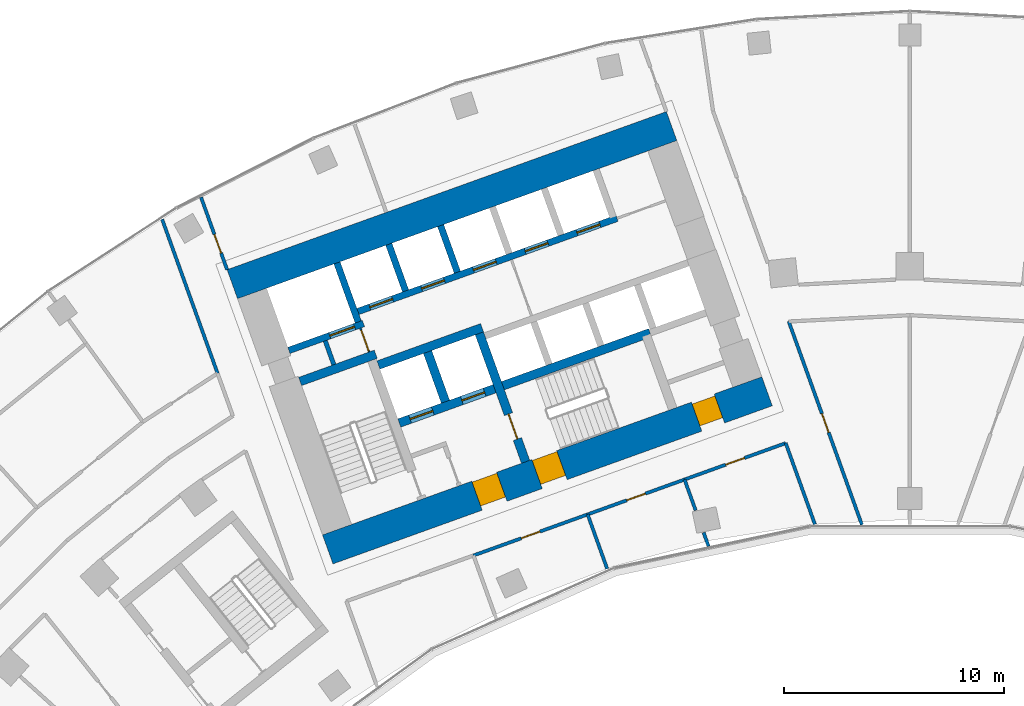
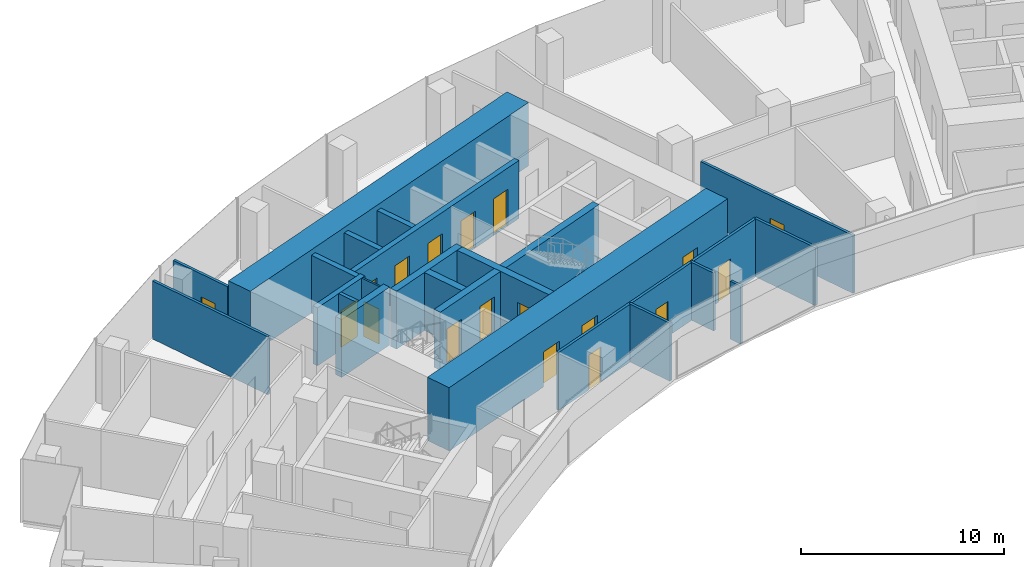
# One storey, part 14 of 20: 24 walls, 18 doors, 18 openings.
"""IFC4 building model written with IfcOpenShell, lengths in metres."""

from ifc_helpers import new_model, si_unit, direction, frame, frame_2d, origin, place, context, subcontext, project, spatial, rectangle, extrude, material, layer, layer_set, type_object, element, fill, save


model = new_model("IFC4")

# Units and contexts
model_context = context("Model", 3, precision=1e-05, world=origin(), true_north=direction((0.0, 1.0)))
body_context = subcontext(model_context, "Body", "Model", "MODEL_VIEW")
ifc_project = project(units=[si_unit("LENGTHUNIT", "METRE"), si_unit("AREAUNIT", "SQUARE_METRE"), si_unit("VOLUMEUNIT", "CUBIC_METRE"), si_unit("PLANEANGLEUNIT", "RADIAN"), si_unit("MASSUNIT", "GRAM", prefix="KILO")], contexts=[model_context])

# Site, building, storey
site_placement = place(None, origin())
site = spatial("IfcSite", under=ifc_project, at=site_placement, CompositionType="ELEMENT")
building_placement = place(site_placement, origin())
building = spatial("IfcBuilding", under=site, at=building_placement, Name="Stone Belt Terrace Tower", CompositionType="ELEMENT")
storey_placement = place(building_placement, frame((0.0, 0.0, 147.800048828125)))
storey = spatial("IfcBuildingStorey", under=building, at=storey_placement, Name="L35", CompositionType="ELEMENT", Elevation=147.800048828125)

# Wall, opening, door
ifc_material_1 = material(Name="Plasterboard partition")
ifc_layer_1 = layer(ifc_material_1, 0.10009765625)
ifc_layer_set_1 = layer_set([ifc_layer_1], Name="Core partition 100")
wall_type_1 = type_object("IfcWallType", Name="Core partition 100", PredefinedType="PARTITIONING", material=ifc_layer_set_1)
wall_1_placement = place(storey_placement, frame((-24.555908203125, 51.10400390625, 0.0), z_axis=(0.0, 0.0, 1.0), x_axis=(-0.338621735342, 0.94092258999, 0.0)))
wall_1 = element("IfcWall", 1, at=wall_1_placement, inside=storey, type_object=wall_type_1, Name="Core A wall", PredefinedType="PARTITIONING", context=body_context, shape_type="SweptSolid", body=[
    extrude(rectangle(XDim=1.14990234375, YDim=0.10009765625, at=frame_2d((0.574951171875, 0.0))), origin(), (0.0, 0.0, 1.0), 3.47998046875),
])
opening_1_placement = place(wall_1_placement, frame((0.050048828125, 0.0, 0.0)))
opening_1 = element("IfcOpeningElement", 2, at=opening_1_placement, cuts=wall_1, Name="Opening L35-C03", PredefinedType="OPENING", context=body_context, shape_type="SweptSolid", body=[
    extrude(rectangle(XDim=1.0, YDim=2.10009765625, at=frame_2d((0.5, 1.050048828125))), frame((0.0, 0.06005859375, 0.0), z_axis=(0.0, -1.0, 0.0), x_axis=(1.0, 0.0, 0.0)), (0.0, 0.0, 1.0), 0.1201171875),
])
ifc_material_2 = material(Name="Timber door leaf", Category="wood")
door_type_1 = type_object("IfcDoorType", Name="Core room door 1000", OperationType="SINGLE_SWING_LEFT", PredefinedType="DOOR", material=ifc_material_2)
door_1_placement = place(opening_1_placement, origin())
door_1 = element("IfcDoor", 3, at=door_1_placement, inside=storey, type_object=door_type_1, Name="Service lift lobby door core A", OperationType="SINGLE_SWING_LEFT", OverallHeight=2.10009765625, OverallWidth=1.0, PredefinedType="DOOR", context=body_context, shape_type="SweptSolid", body=[
    extrude(rectangle(XDim=1.0, YDim=2.10009765625, at=frame_2d((0.5, 1.050048828125))), frame((0.0, 0.02490234375, 0.0), z_axis=(0.0, -1.0, 0.0), x_axis=(1.0, 0.0, 0.0)), (0.0, 0.0, 1.0), 0.050048828125),
])
fill(opening_1, door_1)

# Wall, openings, doors
ifc_material_3 = material(Name="Concrete B80", Category="concrete")
ifc_layer_2 = layer(ifc_material_3, 1.39990234375)
ifc_layer_set_2 = layer_set([ifc_layer_2], Name="Core wall 1400 B80")
wall_type_2 = type_object("IfcWallType", Name="Core wall 1400 B80", PredefinedType="SHEAR", material=ifc_layer_set_2)
wall_2_placement = place(storey_placement, frame((-26.430908203125, 42.139404296875, 0.0), z_axis=(0.0, 0.0, 1.0), x_axis=(0.940923374003, 0.33861955681, 0.0)))
wall_2 = element("IfcWall", 4, at=wall_2_placement, inside=storey, type_object=wall_type_2, Name="Core A wall concave L35", PredefinedType="SHEAR", context=body_context, shape_type="SweptSolid", body=[
    extrude(rectangle(XDim=21.199951171875, YDim=1.39990234375, at=frame_2d((10.60009765625, 0.0))), origin(), (0.0, 0.0, 1.0), 3.800048828125),
])
opening_2_placement = place(wall_2_placement, frame((7.199951171875, 0.0, 0.0)))
opening_2 = element("IfcOpeningElement", 5, at=opening_2_placement, cuts=wall_2, Name="Opening L35-C08", PredefinedType="OPENING", context=body_context, shape_type="SweptSolid", body=[
    extrude(rectangle(XDim=1.199951171875, YDim=2.10009765625, at=frame_2d((0.60009765625, 1.050048828125))), frame((0.0, 0.7099609375, 0.0), z_axis=(0.0, -1.0, 0.0), x_axis=(1.0, 0.0, 0.0)), (0.0, 0.0, 1.0), 1.419921875),
])
opening_3_placement = place(wall_2_placement, frame((10.099853515625, 0.0, 0.0)))
opening_3 = element("IfcOpeningElement", 6, at=opening_3_placement, cuts=wall_2, Name="Opening L35-C10", PredefinedType="OPENING", context=body_context, shape_type="SweptSolid", body=[
    extrude(rectangle(XDim=1.199951171875, YDim=2.10009765625, at=frame_2d((0.60009765625, 1.050048828125))), frame((0.0, 0.7099609375, 0.0), z_axis=(0.0, -1.0, 0.0), x_axis=(1.0, 0.0, 0.0)), (0.0, 0.0, 1.0), 1.419921875),
])
opening_4_placement = place(wall_2_placement, frame((17.800048828125, 0.0, 0.0)))
opening_4 = element("IfcOpeningElement", 7, at=opening_4_placement, cuts=wall_2, Name="Opening L35-C12", PredefinedType="OPENING", context=body_context, shape_type="SweptSolid", body=[
    extrude(rectangle(XDim=1.10009765625, YDim=2.10009765625, at=frame_2d((0.550048828125, 1.050048828125))), frame((0.0, 0.7099609375, 0.0), z_axis=(0.0, -1.0, 0.0), x_axis=(1.0, 0.0, 0.0)), (0.0, 0.0, 1.0), 1.419921875),
])
door_type_2 = type_object("IfcDoorType", Name="Core room door 1100", OperationType="SINGLE_SWING_LEFT", PredefinedType="DOOR", material=ifc_material_2)
door_2_placement = place(opening_4_placement, origin())
door_2 = element("IfcDoor", 8, at=door_2_placement, inside=storey, type_object=door_type_2, Name="Door to Pipe riser core A", OperationType="SINGLE_SWING_LEFT", OverallHeight=2.10009765625, OverallWidth=1.10009765625, PredefinedType="DOOR", context=body_context, shape_type="SweptSolid", body=[
    extrude(rectangle(XDim=1.10009765625, YDim=2.10009765625, at=frame_2d((0.550048828125, 1.050048828125))), frame((0.0, 0.60498046875, 0.0), z_axis=(0.0, -1.0, 0.0), x_axis=(1.0, 0.0, 0.0)), (0.0, 0.0, 1.0), 1.050048828125),
])
fill(opening_4, door_2)
ifc_material_4 = material(Name="Steel door leaf", Category="steel")
door_type_3 = type_object("IfcDoorType", Name="Fire-fighting lobby door 1200", OperationType="SINGLE_SWING_LEFT", PredefinedType="DOOR", material=ifc_material_4)
door_3_placement = place(opening_2_placement, origin())
door_3 = element("IfcDoor", 9, at=door_3_placement, inside=storey, type_object=door_type_3, Name="Fire-fighting lobby door core A", OperationType="SINGLE_SWING_LEFT", OverallHeight=2.10009765625, OverallWidth=1.199951171875, PredefinedType="DOOR", context=body_context, shape_type="SweptSolid", body=[
    extrude(rectangle(XDim=1.199951171875, YDim=2.10009765625, at=frame_2d((0.60009765625, 1.050048828125))), frame((0.0, 0.655029296875, 0.0), z_axis=(0.0, -1.0, 0.0), x_axis=(1.0, 0.0, 0.0)), (0.0, 0.0, 1.0), 1.14990234375),
])
fill(opening_2, door_3)
door_type_4 = type_object("IfcDoorType", Name="Stair door 1200", OperationType="SINGLE_SWING_LEFT", PredefinedType="DOOR", material=ifc_material_4)
door_4_placement = place(opening_3_placement, origin())
door_4 = element("IfcDoor", 10, at=door_4_placement, inside=storey, type_object=door_type_4, Name="Stair 2 exit door core A", OperationType="SINGLE_SWING_RIGHT", OverallHeight=2.10009765625, OverallWidth=1.199951171875, PredefinedType="DOOR", context=body_context, shape_type="SweptSolid", body=[
    extrude(rectangle(XDim=1.199951171875, YDim=2.10009765625, at=frame_2d((0.60009765625, 1.050048828125))), frame((0.0, 0.655029296875, 0.0), z_axis=(0.0, -1.0, 0.0), x_axis=(1.0, 0.0, 0.0)), (0.0, 0.0, 1.0), 1.14990234375),
])
fill(opening_3, door_4)

# Walls
wall_3_placement = place(storey_placement, frame((-30.765380859375, 54.18310546875, 0.0), z_axis=(0.0, 0.0, 1.0), x_axis=(0.940919704758, 0.338629752382, 0.0)))
element("IfcWall", 11, at=wall_3_placement, inside=storey, type_object=wall_type_2, Name="Core A wall convex L35", PredefinedType="SHEAR", context=body_context, shape_type="SweptSolid", body=[
    extrude(rectangle(XDim=21.199951171875, YDim=1.39990234375, at=frame_2d((10.60009765625, 0.0))), origin(), (0.0, 0.0, 1.0), 3.800048828125),
])
ifc_layer_3 = layer(ifc_material_3, 0.39990234375)
ifc_layer_set_3 = layer_set([ifc_layer_3], Name="Fire-fighting lift shaft wall 400")
wall_type_3 = type_object("IfcWallType", Name="Fire-fighting lift shaft wall 400", PredefinedType="SHEAR", material=ifc_layer_set_3)
wall_4_placement = place(storey_placement, frame((-24.130615234375, 50.512939453125, 0.0), z_axis=(0.0, 0.0, 1.0), x_axis=(0.94091168377, 0.338652038744, 0.0)))
element("IfcWall", 12, at=wall_4_placement, inside=storey, type_object=wall_type_3, Name="Core A wall", PredefinedType="SHEAR", context=body_context, shape_type="SweptSolid", body=[
    extrude(rectangle(XDim=5.000244140625, YDim=0.39990234375, at=frame_2d((2.5, 0.0))), origin(), (0.0, 0.0, 1.0), 3.47998046875),
])
wall_5_placement = place(storey_placement, frame((-21.0859375, 48.845458984375, 0.0), z_axis=(0.0, 0.0, 1.0), x_axis=(-0.338629416206, 0.940919825745, 0.0)))
element("IfcWall", 13, at=wall_5_placement, inside=storey, type_object=wall_type_3, Name="Core A wall", PredefinedType="SHEAR", context=body_context, shape_type="SweptSolid", body=[
    extrude(rectangle(XDim=2.400146484375, YDim=0.39990234375, at=frame_2d((1.2001953125, 0.0))), origin(), (0.0, 0.0, 1.0), 3.47998046875),
])

# Wall, opening, door
ifc_layer_4 = layer(ifc_material_3, 0.300048828125)
ifc_layer_set_4 = layer_set([ifc_layer_4], Name="Lift shaft wall 300")
wall_type_4 = type_object("IfcWallType", Name="Lift shaft wall 300", PredefinedType="SHEAR", material=ifc_layer_set_4)
wall_6_placement = place(storey_placement, frame((-28.195068359375, 51.17578125, 0.0), z_axis=(0.0, 0.0, 1.0), x_axis=(0.940901243567, 0.338681044427, 0.0)))
wall_6 = element("IfcWall", 14, at=wall_6_placement, inside=storey, type_object=wall_type_4, Name="Core A wall", PredefinedType="SHEAR", context=body_context, shape_type="SweptSolid", body=[
    extrude(rectangle(XDim=3.599853515625, YDim=0.300048828125, at=frame_2d((1.7998046875, 0.0))), origin(), (0.0, 0.0, 1.0), 3.47998046875),
])
opening_5_placement = place(wall_6_placement, frame((1.969970703125, 0.0, 0.0)))
opening_5 = element("IfcOpeningElement", 15, at=opening_5_placement, cuts=wall_6, Name="Opening L35-LD08", PredefinedType="OPENING", context=body_context, shape_type="SweptSolid", body=[
    extrude(rectangle(XDim=1.199951171875, YDim=2.199951171875, at=frame_2d((0.60009765625, 1.10009765625))), frame((0.0, 0.159912109375, 0.0), z_axis=(0.0, -1.0, 0.0), x_axis=(1.0, 0.0, 0.0)), (0.0, 0.0, 1.0), 0.320068359375),
])
ifc_material_5 = material(Name="Stainless steel door leaf", Category="steel")
door_type_5 = type_object("IfcDoorType", Name="Landing door 1200", OperationType="SLIDING_TO_LEFT", PredefinedType="DOOR", material=ifc_material_5)
door_5_placement = place(opening_5_placement, origin())
door_5 = element("IfcDoor", 16, at=door_5_placement, inside=storey, type_object=door_type_5, Name="Landing door SV1 core A", OperationType="SLIDING_TO_LEFT", OverallHeight=2.199951171875, OverallWidth=1.199951171875, PredefinedType="DOOR", context=body_context, shape_type="SweptSolid", body=[
    extrude(rectangle(XDim=1.199951171875, YDim=2.199951171875, at=frame_2d((0.60009765625, 1.10009765625))), frame((0.0, 0.02490234375, 0.0), z_axis=(0.0, -1.0, 0.0), x_axis=(1.0, 0.0, 0.0)), (0.0, 0.0, 1.0), 0.050048828125),
])
fill(opening_5, door_5)

# Wall
wall_7_placement = place(storey_placement, frame((-25.046875, 52.46826171875, 0.0), z_axis=(0.0, 0.0, 1.0), x_axis=(-0.338549588058, 0.940948551423, 0.0)))
element("IfcWall", 17, at=wall_7_placement, inside=storey, type_object=wall_type_4, Name="Core A wall", PredefinedType="SHEAR", context=body_context, shape_type="SweptSolid", body=[
    extrude(rectangle(XDim=2.849853515625, YDim=0.300048828125, at=frame_2d((1.4248046875, 0.0))), origin(), (0.0, 0.0, 1.0), 3.47998046875),
])

# Wall, openings, doors
wall_8_placement = place(storey_placement, frame((-25.05810546875, 52.9423828125, 0.0), z_axis=(0.0, 0.0, 1.0), x_axis=(0.940920770291, 0.338626791666, 0.0)))
wall_8 = element("IfcWall", 18, at=wall_8_placement, inside=storey, type_object=wall_type_4, Name="Core A wall", PredefinedType="SHEAR", context=body_context, shape_type="SweptSolid", body=[
    extrude(rectangle(XDim=12.500244140625, YDim=0.300048828125, at=frame_2d((6.25, 0.0))), origin(), (0.0, 0.0, 1.0), 3.47998046875),
])
opening_6_placement = place(wall_8_placement, frame((0.570068359375, 0.0, 0.0)))
opening_6 = element("IfcOpeningElement", 19, at=opening_6_placement, cuts=wall_8, Name="Opening L35-LD01", PredefinedType="OPENING", context=body_context, shape_type="SweptSolid", body=[
    extrude(rectangle(XDim=1.10009765625, YDim=2.199951171875, at=frame_2d((0.550048828125, 1.10009765625))), frame((0.0, 0.159912109375, 0.0), z_axis=(0.0, -1.0, 0.0), x_axis=(1.0, 0.0, 0.0)), (0.0, 0.0, 1.0), 0.320068359375),
])
opening_7_placement = place(wall_8_placement, frame((3.070068359375, 0.0, 0.0)))
opening_7 = element("IfcOpeningElement", 20, at=opening_7_placement, cuts=wall_8, Name="Opening L35-LD02", PredefinedType="OPENING", context=body_context, shape_type="SweptSolid", body=[
    extrude(rectangle(XDim=1.10009765625, YDim=2.199951171875, at=frame_2d((0.550048828125, 1.10009765625))), frame((0.0, 0.159912109375, 0.0), z_axis=(0.0, -1.0, 0.0), x_axis=(1.0, 0.0, 0.0)), (0.0, 0.0, 1.0), 0.320068359375),
])
opening_8_placement = place(wall_8_placement, frame((5.570068359375, 0.0, 0.0)))
opening_8 = element("IfcOpeningElement", 21, at=opening_8_placement, cuts=wall_8, Name="Opening L35-LD03", PredefinedType="OPENING", context=body_context, shape_type="SweptSolid", body=[
    extrude(rectangle(XDim=1.10009765625, YDim=2.199951171875, at=frame_2d((0.550048828125, 1.10009765625))), frame((0.0, 0.159912109375, 0.0), z_axis=(0.0, -1.0, 0.0), x_axis=(1.0, 0.0, 0.0)), (0.0, 0.0, 1.0), 0.320068359375),
])
opening_9_placement = place(wall_8_placement, frame((8.070068359375, 0.0, 0.0)))
opening_9 = element("IfcOpeningElement", 22, at=opening_9_placement, cuts=wall_8, Name="Opening L35-LD04", PredefinedType="OPENING", context=body_context, shape_type="SweptSolid", body=[
    extrude(rectangle(XDim=1.10009765625, YDim=2.199951171875, at=frame_2d((0.550048828125, 1.10009765625))), frame((0.0, 0.159912109375, 0.0), z_axis=(0.0, -1.0, 0.0), x_axis=(1.0, 0.0, 0.0)), (0.0, 0.0, 1.0), 0.320068359375),
])
opening_10_placement = place(wall_8_placement, frame((10.570068359375, 0.0, 0.0)))
opening_10 = element("IfcOpeningElement", 23, at=opening_10_placement, cuts=wall_8, Name="Opening L35-LD05", PredefinedType="OPENING", context=body_context, shape_type="SweptSolid", body=[
    extrude(rectangle(XDim=1.10009765625, YDim=2.199951171875, at=frame_2d((0.550048828125, 1.10009765625))), frame((0.0, 0.159912109375, 0.0), z_axis=(0.0, -1.0, 0.0), x_axis=(1.0, 0.0, 0.0)), (0.0, 0.0, 1.0), 0.320068359375),
])
door_type_6 = type_object("IfcDoorType", Name="Landing door 1100", OperationType="SLIDING_TO_LEFT", PredefinedType="DOOR", material=ifc_material_5)
door_6_placement = place(opening_6_placement, origin())
door_6 = element("IfcDoor", 24, at=door_6_placement, inside=storey, type_object=door_type_6, Name="Landing door MR1 core A", OperationType="SLIDING_TO_LEFT", OverallHeight=2.199951171875, OverallWidth=1.10009765625, PredefinedType="DOOR", context=body_context, shape_type="SweptSolid", body=[
    extrude(rectangle(XDim=1.10009765625, YDim=2.199951171875, at=frame_2d((0.550048828125, 1.10009765625))), frame((0.0, 0.02490234375, 0.0), z_axis=(0.0, -1.0, 0.0), x_axis=(1.0, 0.0, 0.0)), (0.0, 0.0, 1.0), 0.050048828125),
])
fill(opening_6, door_6)
door_7_placement = place(opening_7_placement, origin())
door_7 = element("IfcDoor", 25, at=door_7_placement, inside=storey, type_object=door_type_6, Name="Landing door MR2 core A", OperationType="SLIDING_TO_LEFT", OverallHeight=2.199951171875, OverallWidth=1.10009765625, PredefinedType="DOOR", context=body_context, shape_type="SweptSolid", body=[
    extrude(rectangle(XDim=1.10009765625, YDim=2.199951171875, at=frame_2d((0.550048828125, 1.10009765625))), frame((0.0, 0.02490234375, 0.0), z_axis=(0.0, -1.0, 0.0), x_axis=(1.0, 0.0, 0.0)), (0.0, 0.0, 1.0), 0.050048828125),
])
fill(opening_7, door_7)
door_8_placement = place(opening_8_placement, origin())
door_8 = element("IfcDoor", 26, at=door_8_placement, inside=storey, type_object=door_type_6, Name="Landing door MR3 core A", OperationType="SLIDING_TO_LEFT", OverallHeight=2.199951171875, OverallWidth=1.10009765625, PredefinedType="DOOR", context=body_context, shape_type="SweptSolid", body=[
    extrude(rectangle(XDim=1.10009765625, YDim=2.199951171875, at=frame_2d((0.550048828125, 1.10009765625))), frame((0.0, 0.02490234375, 0.0), z_axis=(0.0, -1.0, 0.0), x_axis=(1.0, 0.0, 0.0)), (0.0, 0.0, 1.0), 0.050048828125),
])
fill(opening_8, door_8)
door_9_placement = place(opening_9_placement, origin())
door_9 = element("IfcDoor", 27, at=door_9_placement, inside=storey, type_object=door_type_6, Name="Landing door MR4 core A", OperationType="SLIDING_TO_LEFT", OverallHeight=2.199951171875, OverallWidth=1.10009765625, PredefinedType="DOOR", context=body_context, shape_type="SweptSolid", body=[
    extrude(rectangle(XDim=1.10009765625, YDim=2.199951171875, at=frame_2d((0.550048828125, 1.10009765625))), frame((0.0, 0.02490234375, 0.0), z_axis=(0.0, -1.0, 0.0), x_axis=(1.0, 0.0, 0.0)), (0.0, 0.0, 1.0), 0.050048828125),
])
fill(opening_9, door_9)
door_10_placement = place(opening_10_placement, origin())
door_10 = element("IfcDoor", 28, at=door_10_placement, inside=storey, type_object=door_type_6, Name="Landing door MR5 core A", OperationType="SLIDING_TO_LEFT", OverallHeight=2.199951171875, OverallWidth=1.10009765625, PredefinedType="DOOR", context=body_context, shape_type="SweptSolid", body=[
    extrude(rectangle(XDim=1.10009765625, YDim=2.199951171875, at=frame_2d((0.550048828125, 1.10009765625))), frame((0.0, 0.02490234375, 0.0), z_axis=(0.0, -1.0, 0.0), x_axis=(1.0, 0.0, 0.0)), (0.0, 0.0, 1.0), 0.050048828125),
])
fill(opening_10, door_10)

# Walls
wall_9_placement = place(storey_placement, frame((-22.897705078125, 53.87939453125, 0.0), z_axis=(0.0, 0.0, 1.0), x_axis=(-0.338535034312, 0.940953787677, 0.0)))
element("IfcWall", 29, at=wall_9_placement, inside=storey, type_object=wall_type_4, Name="Core A wall", PredefinedType="SHEAR", context=body_context, shape_type="SweptSolid", body=[
    extrude(rectangle(XDim=2.25, YDim=0.300048828125, at=frame_2d((1.125, 0.0))), origin(), (0.0, 0.0, 1.0), 3.47998046875),
])
wall_10_placement = place(storey_placement, frame((-20.54541015625, 54.72607421875, 0.0), z_axis=(0.0, 0.0, 1.0), x_axis=(-0.338569601369, 0.940941350472, 0.0)))
element("IfcWall", 30, at=wall_10_placement, inside=storey, type_object=wall_type_4, Name="Core A wall", PredefinedType="SHEAR", context=body_context, shape_type="SweptSolid", body=[
    extrude(rectangle(XDim=2.249755859375, YDim=0.300048828125, at=frame_2d((1.125, 0.0))), origin(), (0.0, 0.0, 1.0), 3.47998046875),
])

# Wall, opening, door
ifc_material_6 = material(Name="Gypsum board partition")
ifc_layer_5 = layer(ifc_material_6, 0.14990234375)
ifc_layer_set_5 = layer_set([ifc_layer_5], Name="PARTITION 150 EI 60")
wall_type_5 = type_object("IfcWallType", Name="PARTITION 150 EI 60", PredefinedType="PARTITIONING", material=ifc_layer_set_5)
wall_11_placement = place(storey_placement, frame((-32.185791015625, 58.131103515625, 0.0), z_axis=(0.0, 0.0, 1.0), x_axis=(0.338662585219, -0.940907887826, 0.0)))
wall_11 = element("IfcWall", 31, at=wall_11_placement, inside=storey, type_object=wall_type_5, Name="L35/wall/i002", PredefinedType="PARTITIONING", context=body_context, shape_type="SweptSolid", body=[
    extrude(rectangle(XDim=3.49560546875, YDim=0.14990234375, at=frame_2d((1.747802734375, 0.0))), origin(), (0.0, 0.0, 1.0), 3.47998046875),
])
opening_11_placement = place(wall_11_placement, frame((1.796630859375, 0.0, 0.0)))
opening_11 = element("IfcOpeningElement", 32, at=opening_11_placement, cuts=wall_11, Name="Opening D-C1-05", PredefinedType="OPENING", context=body_context, shape_type="SweptSolid", body=[
    extrude(rectangle(XDim=0.89990234375, YDim=2.10009765625, at=frame_2d((0.449951171875, 1.050048828125))), frame((0.0, 0.0849609375, 0.0), z_axis=(0.0, -1.0, 0.0), x_axis=(1.0, 0.0, 0.0)), (0.0, 0.0, 1.0), 0.169921875),
])
door_type_7 = type_object("IfcDoorType", Name="OFFICE DOOR 900 X 2100", OperationType="NOTDEFINED", PredefinedType="DOOR", material=ifc_material_2)
door_11_placement = place(opening_11_placement, origin())
door_11 = element("IfcDoor", 33, at=door_11_placement, inside=storey, type_object=door_type_7, Name="L35/door/i05", OperationType="SINGLE_SWING_RIGHT", OverallHeight=2.10009765625, OverallWidth=0.89990234375, PredefinedType="DOOR", context=body_context, shape_type="SweptSolid", body=[
    extrude(rectangle(XDim=0.89990234375, YDim=2.10009765625, at=frame_2d((0.449951171875, 1.050048828125))), frame((0.0, 0.02490234375, 0.0), z_axis=(0.0, -1.0, 0.0), x_axis=(1.0, 0.0, 0.0)), (0.0, 0.0, 1.0), 0.050048828125),
])
fill(opening_11, door_11)

# Walls
wall_12_placement = place(storey_placement, frame((-31.431884765625, 50.12890625, 0.0), z_axis=(0.0, 0.0, 1.0), x_axis=(-0.338627692375, 0.940920446136, 0.0)))
element("IfcWall", 34, at=wall_12_placement, inside=storey, type_object=wall_type_5, Name="L35/wall/i006", PredefinedType="PARTITIONING", context=body_context, shape_type="SweptSolid", body=[
    extrude(rectangle(XDim=7.44189453125, YDim=0.14990234375, at=frame_2d((3.720947265625, 0.0))), origin(), (0.0, 0.0, 1.0), 3.47998046875),
])
wall_13_placement = place(storey_placement, frame((-4.31005859375, 43.27880859375, 0.0), z_axis=(0.0, 0.0, 1.0), x_axis=(-0.338569683937, 0.940941320763, 0.0)))
element("IfcWall", 35, at=wall_13_placement, inside=storey, type_object=wall_type_5, Name="L35/wall/i007", PredefinedType="PARTITIONING", context=body_context, shape_type="SweptSolid", body=[
    extrude(rectangle(XDim=3.9248046875, YDim=0.14990234375, at=frame_2d((1.96240234375, 0.0))), origin(), (0.0, 0.0, 1.0), 3.47998046875),
])

# Wall, opening, door
wall_14_placement = place(storey_placement, frame((-5.5009765625, 52.492919921875, 0.0), z_axis=(0.0, 0.0, 1.0), x_axis=(0.338654259988, -0.940910884299, 0.0)))
wall_14 = element("IfcWall", 36, at=wall_14_placement, inside=storey, type_object=wall_type_5, Name="L35/wall/i009", PredefinedType="PARTITIONING", context=body_context, shape_type="SweptSolid", body=[
    extrude(rectangle(XDim=9.81103515625, YDim=0.14990234375, at=frame_2d((4.905517578125, 0.0))), origin(), (0.0, 0.0, 1.0), 3.47998046875),
])
opening_12_placement = place(wall_14_placement, frame((4.45556640625, 0.0, 0.0)))
opening_12 = element("IfcOpeningElement", 37, at=opening_12_placement, cuts=wall_14, Name="Opening D-C1-26", PredefinedType="OPENING", context=body_context, shape_type="SweptSolid", body=[
    extrude(rectangle(XDim=0.89990234375, YDim=2.10009765625, at=frame_2d((0.449951171875, 1.050048828125))), frame((0.0, 0.0849609375, 0.0), z_axis=(0.0, -1.0, 0.0), x_axis=(1.0, 0.0, 0.0)), (0.0, 0.0, 1.0), 0.169921875),
])
door_12_placement = place(opening_12_placement, origin())
door_12 = element("IfcDoor", 38, at=door_12_placement, inside=storey, type_object=door_type_7, Name="L35/door/i26", OperationType="SINGLE_SWING_RIGHT", OverallHeight=2.10009765625, OverallWidth=0.89990234375, PredefinedType="DOOR", context=body_context, shape_type="SweptSolid", body=[
    extrude(rectangle(XDim=0.89990234375, YDim=2.10009765625, at=frame_2d((0.449951171875, 1.050048828125))), frame((0.0, 0.02490234375, 0.0), z_axis=(0.0, -1.0, 0.0), x_axis=(1.0, 0.0, 0.0)), (0.0, 0.0, 1.0), 0.050048828125),
])
fill(opening_12, door_12)

wall_15_placement = place(storey_placement, frame((-14.625, 43.73095703125, 0.0), z_axis=(0.0, 0.0, 1.0), x_axis=(-0.940943779723, -0.338562850001, 0.0)))
wall_15 = element("IfcWall", 39, at=wall_15_placement, inside=storey, type_object=wall_type_5, Name="L35/wall/i013", PredefinedType="PARTITIONING", context=body_context, shape_type="SweptSolid", body=[
    extrude(rectangle(XDim=5.52001953125, YDim=0.14990234375, at=frame_2d((2.760009765625, 0.0))), origin(), (0.0, 0.0, 1.0), 3.47998046875),
])
opening_13_placement = place(wall_15_placement, frame((2.31005859375, 0.0, 0.0)))
opening_13 = element("IfcOpeningElement", 40, at=opening_13_placement, cuts=wall_15, Name="Opening D-C1-02", PredefinedType="OPENING", context=body_context, shape_type="SweptSolid", body=[
    extrude(rectangle(XDim=0.89990234375, YDim=2.10009765625, at=frame_2d((0.449951171875, 1.050048828125))), frame((0.0, 0.0849609375, 0.0), z_axis=(0.0, -1.0, 0.0), x_axis=(1.0, 0.0, 0.0)), (0.0, 0.0, 1.0), 0.169921875),
])
door_13_placement = place(opening_13_placement, origin())
door_13 = element("IfcDoor", 41, at=door_13_placement, inside=storey, type_object=door_type_7, Name="L35/door/i02", OperationType="SINGLE_SWING_RIGHT", OverallHeight=2.10009765625, OverallWidth=0.89990234375, PredefinedType="DOOR", context=body_context, shape_type="SweptSolid", body=[
    extrude(rectangle(XDim=0.89990234375, YDim=2.10009765625, at=frame_2d((0.449951171875, 1.050048828125))), frame((0.0, 0.02490234375, 0.0), z_axis=(0.0, -1.0, 0.0), x_axis=(1.0, 0.0, 0.0)), (0.0, 0.0, 1.0), 0.050048828125),
])
fill(opening_13, door_13)

wall_16_placement = place(storey_placement, frame((-10.22509765625, 45.31494140625, 0.0), z_axis=(0.0, 0.0, 1.0), x_axis=(-0.940913295412, -0.338647560919, 0.0)))
wall_16 = element("IfcWall", 42, at=wall_16_placement, inside=storey, type_object=wall_type_5, Name="L35/wall/i014", PredefinedType="PARTITIONING", context=body_context, shape_type="SweptSolid", body=[
    extrude(rectangle(XDim=4.68896484375, YDim=0.14990234375, at=frame_2d((2.344482421875, 0.0))), origin(), (0.0, 0.0, 1.0), 3.47998046875),
])
opening_14_placement = place(wall_16_placement, frame((1.89453125, 0.0, 0.0)))
opening_14 = element("IfcOpeningElement", 43, at=opening_14_placement, cuts=wall_16, Name="Opening D-C1-03", PredefinedType="OPENING", context=body_context, shape_type="SweptSolid", body=[
    extrude(rectangle(XDim=0.89990234375, YDim=2.10009765625, at=frame_2d((0.449951171875, 1.050048828125))), frame((0.0, 0.0849609375, 0.0), z_axis=(0.0, -1.0, 0.0), x_axis=(1.0, 0.0, 0.0)), (0.0, 0.0, 1.0), 0.169921875),
])
door_14_placement = place(opening_14_placement, origin())
door_14 = element("IfcDoor", 44, at=door_14_placement, inside=storey, type_object=door_type_7, Name="L35/door/i03", OperationType="SINGLE_SWING_RIGHT", OverallHeight=2.10009765625, OverallWidth=0.89990234375, PredefinedType="DOOR", context=body_context, shape_type="SweptSolid", body=[
    extrude(rectangle(XDim=0.89990234375, YDim=2.10009765625, at=frame_2d((0.449951171875, 1.050048828125))), frame((0.0, 0.02490234375, 0.0), z_axis=(0.0, -1.0, 0.0), x_axis=(1.0, 0.0, 0.0)), (0.0, 0.0, 1.0), 0.050048828125),
])
fill(opening_14, door_14)

wall_17_placement = place(storey_placement, frame((-5.636962890625, 46.966064453125, 0.0), z_axis=(0.0, 0.0, 1.0), x_axis=(-0.940952965864, -0.338537318522, 0.0)))
wall_17 = element("IfcWall", 45, at=wall_17_placement, inside=storey, type_object=wall_type_5, Name="L35/wall/i015", PredefinedType="PARTITIONING", context=body_context, shape_type="SweptSolid", body=[
    extrude(rectangle(XDim=4.888671875, YDim=0.14990234375, at=frame_2d((2.4443359375, 0.0))), origin(), (0.0, 0.0, 1.0), 3.47998046875),
])
opening_15_placement = place(wall_17_placement, frame((1.994384765625, 0.0, 0.0)))
opening_15 = element("IfcOpeningElement", 46, at=opening_15_placement, cuts=wall_17, Name="Opening D-C1-04", PredefinedType="OPENING", context=body_context, shape_type="SweptSolid", body=[
    extrude(rectangle(XDim=0.89990234375, YDim=2.10009765625, at=frame_2d((0.449951171875, 1.050048828125))), frame((0.0, 0.0849609375, 0.0), z_axis=(0.0, -1.0, 0.0), x_axis=(1.0, 0.0, 0.0)), (0.0, 0.0, 1.0), 0.169921875),
])
door_15_placement = place(opening_15_placement, origin())
door_15 = element("IfcDoor", 47, at=door_15_placement, inside=storey, type_object=door_type_7, Name="L35/door/i04", OperationType="SINGLE_SWING_RIGHT", OverallHeight=2.10009765625, OverallWidth=0.89990234375, PredefinedType="DOOR", context=body_context, shape_type="SweptSolid", body=[
    extrude(rectangle(XDim=0.89990234375, YDim=2.10009765625, at=frame_2d((0.449951171875, 1.050048828125))), frame((0.0, 0.02490234375, 0.0), z_axis=(0.0, -1.0, 0.0), x_axis=(1.0, 0.0, 0.0)), (0.0, 0.0, 1.0), 0.050048828125),
])
fill(opening_15, door_15)

# Walls
wall_18_placement = place(storey_placement, frame((-14.631103515625, 43.72900390625, 0.0), z_axis=(0.0, 0.0, 1.0), x_axis=(0.338571450822, -0.940940685, 0.0)))
element("IfcWall", 48, at=wall_18_placement, inside=storey, type_object=wall_type_5, Name="L35/wall/i017", PredefinedType="PARTITIONING", context=body_context, shape_type="SweptSolid", body=[
    extrude(rectangle(XDim=2.62841796875, YDim=0.14990234375, at=frame_2d((1.314208984375, 0.0))), origin(), (0.0, 0.0, 1.0), 3.47998046875),
])
wall_19_placement = place(storey_placement, frame((-10.23095703125, 45.31298828125, 0.0), z_axis=(0.0, 0.0, 1.0), x_axis=(0.338818189928, -0.940851866222, 0.0)))
element("IfcWall", 49, at=wall_19_placement, inside=storey, type_object=wall_type_5, Name="L35/wall/i018", PredefinedType="PARTITIONING", context=body_context, shape_type="SweptSolid", body=[
    extrude(rectangle(XDim=1.48876953125, YDim=0.14990234375, at=frame_2d((0.744384765625, 0.0))), origin(), (0.0, 0.0, 1.0), 3.47998046875),
])
wall_20_placement = place(storey_placement, frame((-9.3642578125, 42.90576171875, 0.0), z_axis=(0.0, 0.0, 1.0), x_axis=(0.338680146918, -0.940901566628, 0.0)))
element("IfcWall", 50, at=wall_20_placement, inside=storey, type_object=wall_type_5, Name="L35/wall/i019", PredefinedType="PARTITIONING", context=body_context, shape_type="SweptSolid", body=[
    extrude(rectangle(XDim=0.65966796875, YDim=0.14990234375, at=frame_2d((0.329833984375, 0.0))), origin(), (0.0, 0.0, 1.0), 3.47998046875),
])
ifc_material_7 = material(Name="Concrete masonry block", Category="masonry")
ifc_layer_6 = layer(ifc_material_7, 0.199951171875)
ifc_layer_set_6 = layer_set([ifc_layer_6], Name="Rated lobby wall 200")
wall_type_6 = type_object("IfcWallType", Name="Rated lobby wall 200", PredefinedType="PARTITIONING", material=ifc_layer_set_6)
wall_21_placement = place(storey_placement, frame((-26.1552734375, 50.5283203125, 0.0), z_axis=(0.0, 0.0, 1.0), x_axis=(-0.338621735342, 0.94092258999, 0.0)))
element("IfcWall", 51, at=wall_21_placement, inside=storey, type_object=wall_type_6, Name="Core A wall", PredefinedType="PARTITIONING", context=body_context, shape_type="SweptSolid", body=[
    extrude(rectangle(XDim=1.14990234375, YDim=0.199951171875, at=frame_2d((0.574951171875, 0.0))), origin(), (0.0, 0.0, 1.0), 3.47998046875),
])
ifc_layer_7 = layer(ifc_material_3, 0.39990234375)
ifc_layer_set_7 = layer_set([ifc_layer_7], Name="Stair enclosure wall 400")
wall_type_7 = type_object("IfcWallType", Name="Stair enclosure wall 400", PredefinedType="SHEAR", material=ifc_layer_set_7)
wall_22_placement = place(storey_placement, frame((-27.687255859375, 49.764404296875, 0.0), z_axis=(0.0, 0.0, 1.0), x_axis=(0.940918954884, 0.338631835981, 0.0)))
element("IfcWall", 52, at=wall_22_placement, inside=storey, type_object=wall_type_7, Name="Core A wall", PredefinedType="SHEAR", context=body_context, shape_type="SweptSolid", body=[
    extrude(rectangle(XDim=3.650146484375, YDim=0.39990234375, at=frame_2d((1.8251953125, 0.0))), origin(), (0.0, 0.0, 1.0), 3.47998046875),
])

# Wall, openings, doors
wall_23_placement = place(storey_placement, frame((-23.182373046875, 47.87841796875, 0.0), z_axis=(0.0, 0.0, 1.0), x_axis=(0.940921101762, 0.338625870628, 0.0)))
wall_23 = element("IfcWall", 53, at=wall_23_placement, inside=storey, type_object=wall_type_7, Name="Core A wall", PredefinedType="SHEAR", context=body_context, shape_type="SweptSolid", body=[
    extrude(rectangle(XDim=12.10009765625, YDim=0.39990234375, at=frame_2d((6.050048828125, 0.0))), origin(), (0.0, 0.0, 1.0), 3.47998046875),
])
opening_16_placement = place(wall_23_placement, frame((0.52001953125, 0.0, 0.0)))
opening_16 = element("IfcOpeningElement", 54, at=opening_16_placement, cuts=wall_23, Name="Opening L35-LD06", PredefinedType="OPENING", context=body_context, shape_type="SweptSolid", body=[
    extrude(rectangle(XDim=1.10009765625, YDim=2.199951171875, at=frame_2d((0.550048828125, 1.10009765625))), frame((0.0, 0.2099609375, 0.0), z_axis=(0.0, -1.0, 0.0), x_axis=(1.0, 0.0, 0.0)), (0.0, 0.0, 1.0), 0.419921875),
])
opening_17_placement = place(wall_23_placement, frame((3.02001953125, 0.0, 0.0)))
opening_17 = element("IfcOpeningElement", 55, at=opening_17_placement, cuts=wall_23, Name="Opening L35-LD07", PredefinedType="OPENING", context=body_context, shape_type="SweptSolid", body=[
    extrude(rectangle(XDim=1.10009765625, YDim=2.199951171875, at=frame_2d((0.550048828125, 1.10009765625))), frame((0.0, 0.2099609375, 0.0), z_axis=(0.0, -1.0, 0.0), x_axis=(1.0, 0.0, 0.0)), (0.0, 0.0, 1.0), 0.419921875),
])
door_16_placement = place(opening_16_placement, origin())
door_16 = element("IfcDoor", 56, at=door_16_placement, inside=storey, type_object=door_type_6, Name="Landing door FF1 core A", OperationType="SLIDING_TO_LEFT", OverallHeight=2.199951171875, OverallWidth=1.10009765625, PredefinedType="DOOR", context=body_context, shape_type="SweptSolid", body=[
    extrude(rectangle(XDim=1.10009765625, YDim=2.199951171875, at=frame_2d((0.550048828125, 1.10009765625))), frame((0.0, 0.02490234375, 0.0), z_axis=(0.0, -1.0, 0.0), x_axis=(1.0, 0.0, 0.0)), (0.0, 0.0, 1.0), 0.050048828125),
])
fill(opening_16, door_16)
door_17_placement = place(opening_17_placement, origin())
door_17 = element("IfcDoor", 57, at=door_17_placement, inside=storey, type_object=door_type_6, Name="Landing door FF2 core A", OperationType="SLIDING_TO_LEFT", OverallHeight=2.199951171875, OverallWidth=1.10009765625, PredefinedType="DOOR", context=body_context, shape_type="SweptSolid", body=[
    extrude(rectangle(XDim=1.10009765625, YDim=2.199951171875, at=frame_2d((0.550048828125, 1.10009765625))), frame((0.0, 0.02490234375, 0.0), z_axis=(0.0, -1.0, 0.0), x_axis=(1.0, 0.0, 0.0)), (0.0, 0.0, 1.0), 0.050048828125),
])
fill(opening_17, door_17)

# Wall, opening, door
wall_24_placement = place(storey_placement, frame((-17.447021484375, 46.116455078125, 0.0), z_axis=(0.0, 0.0, 1.0), x_axis=(-0.33860791464, 0.940927563707, 0.0)))
wall_24 = element("IfcWall", 58, at=wall_24_placement, inside=storey, type_object=wall_type_7, Name="Core A wall", PredefinedType="SHEAR", context=body_context, shape_type="SweptSolid", body=[
    extrude(rectangle(XDim=6.199951171875, YDim=0.39990234375, at=frame_2d((3.10009765625, 0.0))), origin(), (0.0, 0.0, 1.0), 3.47998046875),
])
opening_18_placement = place(wall_24_placement, frame((1.10009765625, 0.0, 0.0)))
opening_18 = element("IfcOpeningElement", 59, at=opening_18_placement, cuts=wall_24, Name="Opening L35-C09", PredefinedType="OPENING", context=body_context, shape_type="SweptSolid", body=[
    extrude(rectangle(XDim=1.199951171875, YDim=2.10009765625, at=frame_2d((0.60009765625, 1.050048828125))), frame((0.0, 0.2099609375, 0.0), z_axis=(0.0, -1.0, 0.0), x_axis=(1.0, 0.0, 0.0)), (0.0, 0.0, 1.0), 0.419921875),
])
door_18_placement = place(opening_18_placement, origin())
door_18 = element("IfcDoor", 60, at=door_18_placement, inside=storey, type_object=door_type_4, Name="Stair 2 door core A", OperationType="SINGLE_SWING_LEFT", OverallHeight=2.10009765625, OverallWidth=1.199951171875, PredefinedType="DOOR", context=body_context, shape_type="SweptSolid", body=[
    extrude(rectangle(XDim=1.199951171875, YDim=2.10009765625, at=frame_2d((0.60009765625, 1.050048828125))), frame((0.0, 0.02490234375, 0.0), z_axis=(0.0, -1.0, 0.0), x_axis=(1.0, 0.0, 0.0)), (0.0, 0.0, 1.0), 0.050048828125),
])
fill(opening_18, door_18)

save(model, "model.ifc")
